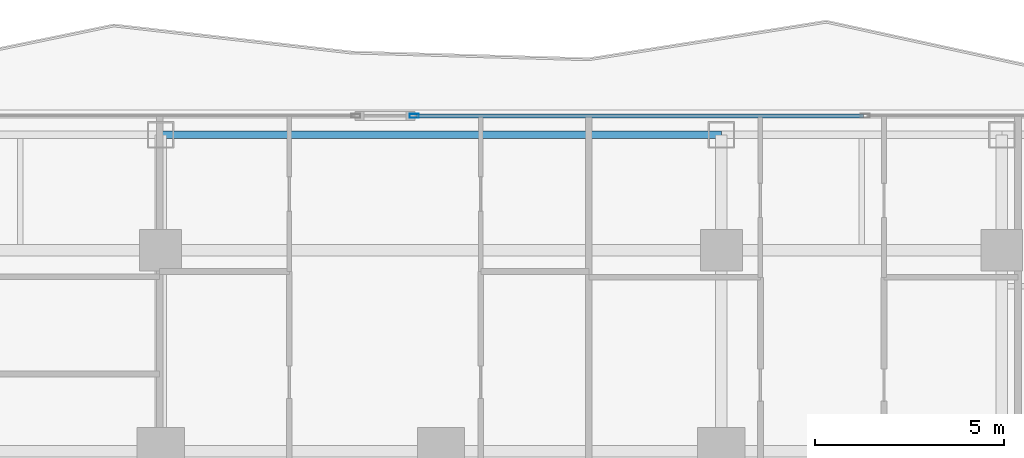
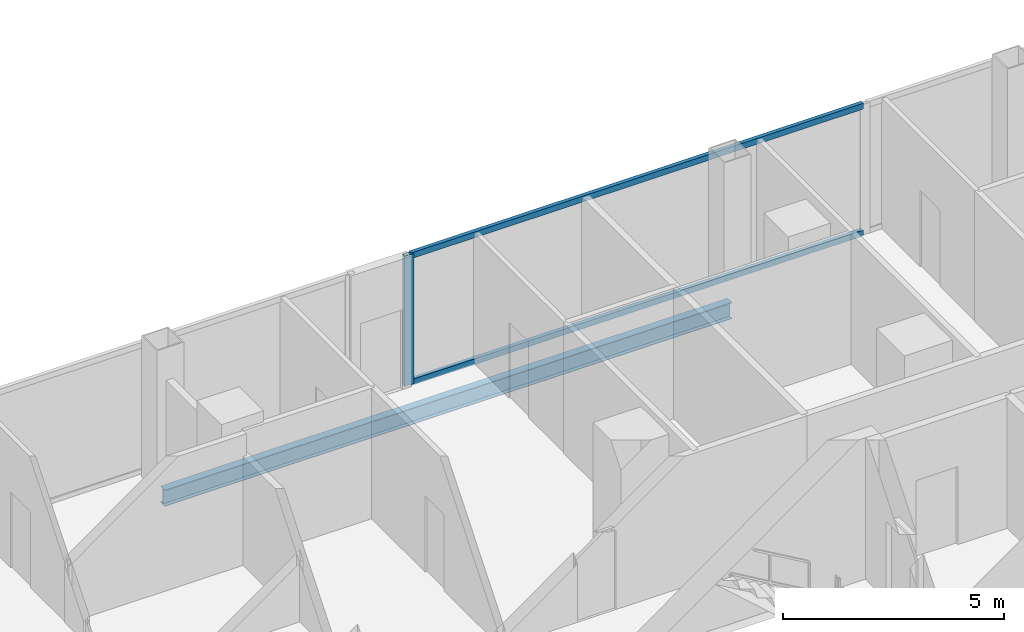
# One storey, part 15 of 27: 3 members, 1 beam, 1 element without a shape of its own.
"""IFC4 building model written with IfcOpenShell, lengths in metres."""

from ifc_helpers import new_model, si_unit, direction, frame, origin, origin_2d, place, context, subcontext, project, spatial, hollow_rectangle, i_section, extrude, material, layer, layer_set, material_profile, profile_set, type_object, element, aggregate, save


model = new_model("IFC4")

# Units and contexts
model_context = context("Model", 3, precision=1e-05, world=origin(), true_north=direction((0.0, 1.0)))
body_context = subcontext(model_context, "Body", "Model", "MODEL_VIEW")
ifc_project = project(units=[si_unit("LENGTHUNIT", "METRE"), si_unit("AREAUNIT", "SQUARE_METRE"), si_unit("VOLUMEUNIT", "CUBIC_METRE"), si_unit("PLANEANGLEUNIT", "RADIAN"), si_unit("MASSUNIT", "GRAM", prefix="KILO")], contexts=[model_context])

# Site, building, storey
site_placement = place(None, origin())
site = spatial("IfcSite", under=ifc_project, at=site_placement, CompositionType="ELEMENT")
building_placement = place(site_placement, origin())
building = spatial("IfcBuilding", under=site, at=building_placement, Name="Khorvyn Point Tower", CompositionType="ELEMENT")
storey_placement = place(building_placement, frame((0.0, 0.0, 152.39990234375)))
storey = spatial("IfcBuildingStorey", under=building, at=storey_placement, Name="L38", CompositionType="ELEMENT", Elevation=152.39990234375)

# Curtain wall, members
ifc_material_1 = material(Name="Anodised aluminium 6063-T6 and laminated Low-E glass", Category="aluminium")
ifc_layer = layer(ifc_material_1, 0.18994140625)
ifc_layer_set = layer_set([ifc_layer], Name="Stick-Built Acoustic Curtain Wall CW-SYS-03")
curtain_wall_type = type_object("IfcCurtainWallType", Name="Stick-Built Acoustic Curtain Wall CW-SYS-03", PredefinedType="NOTDEFINED", material=ifc_layer_set)
curtain_wall_placement = place(storey_placement, origin())
curtain_wall = element("IfcCurtainWall", 1, at=curtain_wall_placement, inside=storey, type_object=curtain_wall_type, Name="Curtain Wall", PredefinedType="NOTDEFINED")
ifc_material_2 = material(Name="Anodised aluminium 6063-T6", Category="aluminium")
ifc_material_profile_1 = material_profile(ifc_material_2, hollow_rectangle(XDim=0.10009765625, YDim=0.239990234375, WallThickness=0.0048828125, at=origin_2d()))
ifc_profile_set_1 = profile_set([ifc_material_profile_1], Name="Anodised aluminium 6063-T6 ALU-MUL-100x240")
member_type_1 = type_object("IfcMemberType", Name="Anodised Aluminium 6063-T6 Mullion ALU-MUL-100x240", PredefinedType="MULLION", material=ifc_profile_set_1)
member_1_placement = place(storey_placement, frame((-0.7060546875, 23.64990234375, 0.0), z_axis=(0.0, 0.0, 1.0), x_axis=(0.0, 1.0, 0.0)))
member_1 = element("IfcMember", 2, at=member_1_placement, type_object=member_type_1, Name="Transom", PredefinedType="MULLION", context=body_context, shape_type="SweptSolid", body=[
    extrude(hollow_rectangle(XDim=0.10009765625, YDim=0.239990234375, WallThickness=0.0048828125, at=origin_2d()), origin(), (0.0, 0.0, 1.0), 3.60009765625),
])
ifc_material_profile_2 = material_profile(ifc_material_2, hollow_rectangle(XDim=0.10009765625, YDim=0.159912109375, WallThickness=0.00439453125, at=origin_2d()))
ifc_profile_set_2 = profile_set([ifc_material_profile_2], Name="Anodised aluminium 6063-T6 ALU-TRN-100x160")
member_type_2 = type_object("IfcMemberType", Name="Anodised Aluminium 6063-T6 Transom ALU-TRN-100x160", PredefinedType="USERDEFINED", material=ifc_profile_set_2)
member_2_placement = place(storey_placement, frame((-0.656005859375, 23.64990234375, 0.050048828125), z_axis=(1.0, 0.0, 0.0), x_axis=(0.0, 1.0, 0.0)))
member_2 = element("IfcMember", 3, at=member_2_placement, type_object=member_type_2, Name="Transom", ObjectType="TRANSOM", PredefinedType="USERDEFINED", context=body_context, shape_type="SweptSolid", body=[
    extrude(hollow_rectangle(XDim=0.10009765625, YDim=0.159912109375, WallThickness=0.00439453125, at=origin_2d()), origin(), (0.0, 0.0, 1.0), 11.802978515625),
])
member_3_placement = place(storey_placement, frame((-0.656005859375, 23.64990234375, 3.550048828125), z_axis=(1.0, 0.0, 0.0), x_axis=(0.0, 1.0, 0.0)))
member_3 = element("IfcMember", 4, at=member_3_placement, type_object=member_type_2, Name="Transom", ObjectType="TRANSOM", PredefinedType="USERDEFINED", context=body_context, shape_type="SweptSolid", body=[
    extrude(hollow_rectangle(XDim=0.10009765625, YDim=0.159912109375, WallThickness=0.00439453125, at=origin_2d()), origin(), (0.0, 0.0, 1.0), 11.802978515625),
])
aggregate(curtain_wall, [member_1, member_2, member_3])

# Beam
ifc_material_3 = material(Name="Steel S355", Category="steel")
ifc_material_profile_3 = material_profile(ifc_material_3, i_section(OverallWidth=0.199951171875, OverallDepth=0.449951171875, WebThickness=0.009033203125, FlangeThickness=0.013916015625, at=origin_2d()))
ifc_profile_set_3 = profile_set([ifc_material_profile_3], Name="Steel S355 H450x200x9x14")
beam_type = type_object("IfcBeamType", Name="Steel S355 Spandrel H450x200x9x14", PredefinedType="SPANDREL", material=ifc_profile_set_3)
beam_placement = place(storey_placement, frame((-7.39990234375, 23.14990234375, -0.44482421875), z_axis=(1.0, 0.0, 0.0), x_axis=(0.0, 1.0, 0.0)))
element("IfcBeam", 5, at=beam_placement, inside=storey, type_object=beam_type, Name="Beam", PredefinedType="SPANDREL", context=body_context, shape_type="SweptSolid", body=[
    extrude(i_section(OverallWidth=0.199951171875, OverallDepth=0.449951171875, WebThickness=0.009033203125, FlangeThickness=0.013916015625, at=origin_2d()), origin(), (0.0, 0.0, 1.0), 14.7998046875),
])

save(model, "model.ifc")
